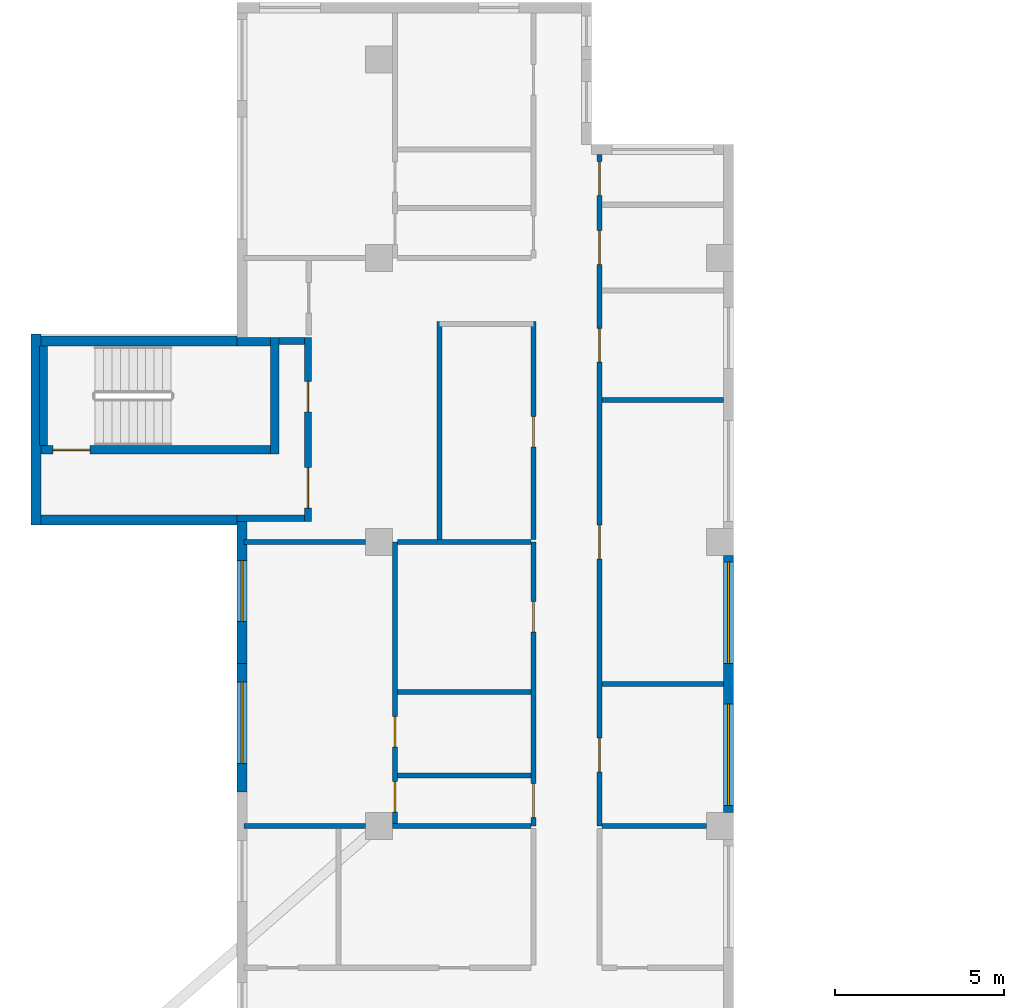
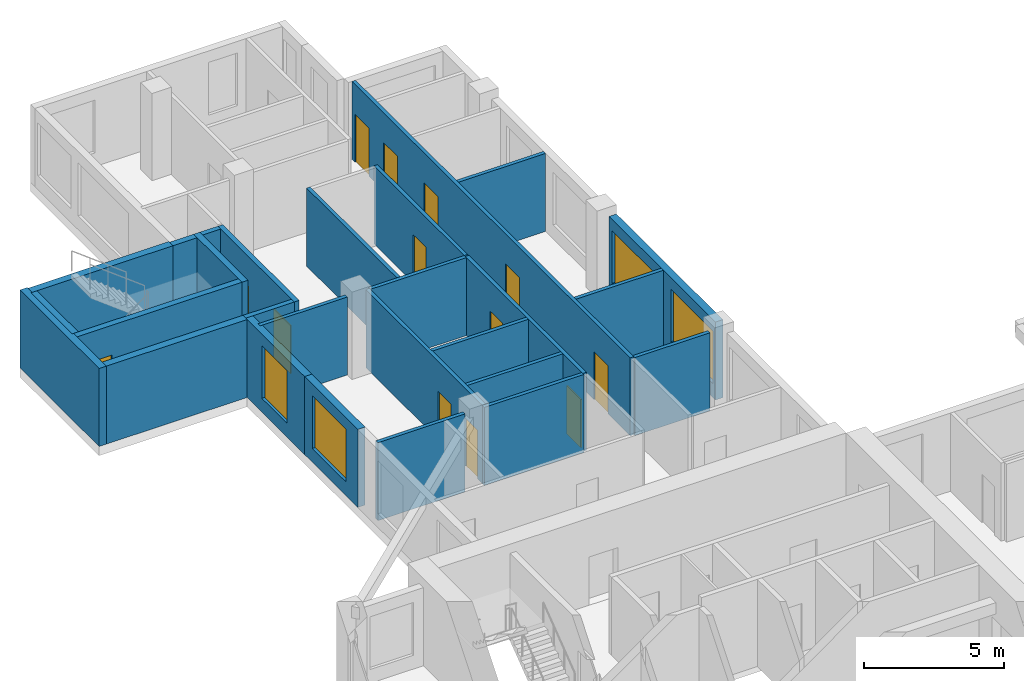
# One storey, part 6 of 11: 27 walls, 13 doors, 4 windows, 17 openings.
"""IFC4 building model written with IfcOpenShell, lengths in metres."""

from ifc_helpers import new_model, si_unit, direction, frame, frame_2d, origin, place, context, subcontext, project, spatial, rectangle, extrude, source, transform, mapped, material, layer, layer_set, type_object, element, fill, save


model = new_model("IFC4")

# Units and contexts
model_context = context("Model", 3, precision=1e-05, world=origin(), true_north=direction((0.0, 1.0)))
body_context = subcontext(model_context, "Body", "Model", "MODEL_VIEW")
ifc_project = project(units=[si_unit("LENGTHUNIT", "METRE"), si_unit("AREAUNIT", "SQUARE_METRE"), si_unit("VOLUMEUNIT", "CUBIC_METRE"), si_unit("PLANEANGLEUNIT", "RADIAN"), si_unit("MASSUNIT", "GRAM", prefix="KILO")], contexts=[model_context])

# Site, building, storey
site_placement = place(None, origin())
site = spatial("IfcSite", under=ifc_project, at=site_placement, CompositionType="ELEMENT")
building_placement = place(site_placement, origin())
building = spatial("IfcBuilding", under=site, at=building_placement, Name="Aurelian Terraces", CompositionType="ELEMENT")
storey_placement = place(building_placement, frame((0.0, 0.0, 227.2)))
storey = spatial("IfcBuildingStorey", under=building, at=storey_placement, Name="L51", CompositionType="ELEMENT", Elevation=227.2)

# Wall
ifc_material_1 = material(Name="Gypsum board on steel studs", Category="steel")
ifc_layer_1 = layer(ifc_material_1, 0.15)
ifc_layer_set_1 = layer_set([ifc_layer_1], Name="Partition 150")
wall_type_1 = type_object("IfcWallType", Name="Partition 150", PredefinedType="PARTITIONING", material=ifc_layer_set_1)
wall_1_placement = place(storey_placement, frame((10.101, 29.4, 0.0), z_axis=(0.0, 0.0, 1.0), x_axis=(-1.0, 0.0, 0.0)))
element("IfcWall", 1, at=wall_1_placement, inside=storey, type_object=wall_type_1, Name="Partition", PredefinedType="PARTITIONING", context=body_context, shape_type="SweptSolid", body=[
    extrude(rectangle(XDim=3.596, YDim=0.15, at=frame_2d((1.798, 0.0))), origin(), (0.0, 0.0, 1.0), 3.4),
])

# Wall, opening, window
ifc_material_2 = material(Name="Terracotta rainscreen cladding", Category="masonry")
ifc_layer_2 = layer(ifc_material_2, 0.3)
ifc_layer_set_2 = layer_set([ifc_layer_2], Name="EW-300")
wall_type_2 = type_object("IfcWallType", Name="EW-300", PredefinedType="STANDARD", material=ifc_layer_set_2)
shared_shape_1 = source(origin(), body_context, "Body", "SweptSolid", [
    extrude(rectangle(XDim=4.2, YDim=0.3, at=frame_2d((2.1, 0.0))), origin(), (0.0, 0.0, 1.0), 3.4),
])
wall_2_placement = place(storey_placement, frame((6.45, 38.4, 0.0), z_axis=(0.0, 0.0, 1.0), x_axis=(0.0, -1.0, 0.0)))
wall_2 = element("IfcWall", 2, at=wall_2_placement, inside=storey, type_object=wall_type_2, Name="External wall L51 F16.29", PredefinedType="STANDARD", context=body_context, shape_type="MappedRepresentation", body=[
    mapped(shared_shape_1, transform((0.0, 0.0, 0.0), scale=1.0)),
])
shared_shape_2 = source(origin(), body_context, "Body", "SweptSolid", [
    extrude(rectangle(XDim=1.8, YDim=2.3, at=frame_2d((0.9, 1.15))), frame((0.0, 0.16, 0.0), z_axis=(0.0, -1.0, 0.0), x_axis=(1.0, 0.0, 0.0)), (0.0, 0.0, 1.0), 0.32),
])
opening_1_placement = place(wall_2_placement, frame((1.15, 0.0, 0.6)))
opening_1 = element("IfcOpeningElement", 3, at=opening_1_placement, cuts=wall_2, Name="Opening W1823", PredefinedType="OPENING", context=body_context, shape_type="MappedRepresentation", body=[
    mapped(shared_shape_2, transform((0.0, 0.0, 0.0), scale=1.0)),
])
ifc_material_3 = material(Name="Clear glazing", Category="glass")
window_type_1 = type_object("IfcWindowType", Name="W-1800x2300", PartitioningType="SINGLE_PANEL", PredefinedType="WINDOW", material=ifc_material_3)
shared_shape_3 = source(origin(), body_context, "Body", "SweptSolid", [
    extrude(rectangle(XDim=1.8, YDim=2.3, at=frame_2d((0.9, 1.15))), frame((0.0, 0.03, 0.0), z_axis=(0.0, -1.0, 0.0), x_axis=(1.0, 0.0, 0.0)), (0.0, 0.0, 1.0), 0.06),
])
window_1_placement = place(opening_1_placement, origin())
window_1 = element("IfcWindow", 4, at=window_1_placement, inside=storey, type_object=window_type_1, Name="Window L51 L51-F16-29-0", OverallHeight=2.3, OverallWidth=1.8, PartitioningType="SINGLE_PANEL", PredefinedType="WINDOW", context=body_context, shape_type="MappedRepresentation", body=[
    mapped(shared_shape_3, transform((0.0, 0.0, 0.0), scale=1.0)),
])
fill(opening_1, window_1)

# Walls
ifc_material_4 = material(Name="Concrete fc' 40 MPa", Category="concrete")
ifc_layer_3 = layer(ifc_material_4, 0.3)
ifc_layer_set_3 = layer_set([ifc_layer_3], Name="STAIR BAY WALL 300")
wall_type_3 = type_object("IfcWallType", Name="STAIR BAY WALL 300", PredefinedType="SOLIDWALL", material=ifc_layer_set_3)
shared_shape_4 = source(origin(), body_context, "Body", "SweptSolid", [
    extrude(rectangle(XDim=6.1, YDim=0.3, at=frame_2d((3.05, 0.0))), origin(), (0.0, 0.0, 1.0), 3.4),
])
for number, where, z_axis, x_axis, name in (
    (5, (6.3, 43.75, 0.0), (0.0, 0.0, 1.0), (-1.0, 0.0, 0.0), "Stair bay wall L51 F13.26"),
    (6, (0.2, 38.45, 0.0), (0.0, 0.0, 1.0), (1.0, 0.0, 0.0), "Stair bay wall L51 F15.28"),
):
    element("IfcWall", number, at=place(storey_placement, frame(where, z_axis=z_axis, x_axis=x_axis)), inside=storey, type_object=wall_type_3, Name=name, PredefinedType="SOLIDWALL", context=body_context, shape_type="MappedRepresentation", body=[
        mapped(shared_shape_4, transform((0.0, 0.0, 0.0), scale=1.0)),
    ])

# Wall, opening, window
shared_shape_5 = source(origin(), body_context, "Body", "SweptSolid", [
    extrude(rectangle(XDim=3.8, YDim=0.3, at=frame_2d((1.9, 0.0))), origin(), (0.0, 0.0, 1.0), 3.4),
])
wall_3_placement = place(storey_placement, frame((6.45, 34.2, 0.0), z_axis=(0.0, 0.0, 1.0), x_axis=(0.0, -1.0, 0.0)))
wall_3 = element("IfcWall", 7, at=wall_3_placement, inside=storey, type_object=wall_type_3, Name="Bearing wall L51 F16.29", PredefinedType="SOLIDWALL", context=body_context, shape_type="MappedRepresentation", body=[
    mapped(shared_shape_5, transform((0.0, 0.0, 0.0), scale=1.0)),
])
shared_shape_6 = source(origin(), body_context, "Body", "SweptSolid", [
    extrude(rectangle(XDim=2.4, YDim=2.3, at=frame_2d((1.2, 1.15))), frame((0.0, 0.16, 0.0), z_axis=(0.0, -1.0, 0.0), x_axis=(1.0, 0.0, 0.0)), (0.0, 0.0, 1.0), 0.32),
])
opening_2_placement = place(wall_3_placement, frame((0.55, 0.0, 0.6)))
opening_2 = element("IfcOpeningElement", 8, at=opening_2_placement, cuts=wall_3, Name="Opening W2423", PredefinedType="OPENING", context=body_context, shape_type="MappedRepresentation", body=[
    mapped(shared_shape_6, transform((0.0, 0.0, 0.0), scale=1.0)),
])
window_type_2 = type_object("IfcWindowType", Name="W-2400x2300", PartitioningType="SINGLE_PANEL", PredefinedType="WINDOW", material=ifc_material_3)
shared_shape_7 = source(origin(), body_context, "Body", "SweptSolid", [
    extrude(rectangle(XDim=2.4, YDim=2.3, at=frame_2d((1.2, 1.15))), frame((0.0, 0.03, 0.0), z_axis=(0.0, -1.0, 0.0), x_axis=(1.0, 0.0, 0.0)), (0.0, 0.0, 1.0), 0.06),
])
window_2_placement = place(opening_2_placement, origin())
window_2 = element("IfcWindow", 9, at=window_2_placement, inside=storey, type_object=window_type_2, Name="Window L51 L51-F16-29-1", OverallHeight=2.3, OverallWidth=2.4, PartitioningType="SINGLE_PANEL", PredefinedType="WINDOW", context=body_context, shape_type="MappedRepresentation", body=[
    mapped(shared_shape_7, transform((0.0, 0.0, 0.0), scale=1.0)),
])
fill(opening_2, window_2)

# Wall
shared_shape_8 = source(origin(), body_context, "Body", "SweptSolid", [
    extrude(rectangle(XDim=5.65, YDim=0.3, at=frame_2d((2.825, 0.0))), origin(), (0.0, 0.0, 1.0), 3.4),
])
wall_4_placement = place(storey_placement, frame((0.35, 43.95, 0.0), z_axis=(0.0, 0.0, 1.0), x_axis=(0.0, -1.0, 0.0)))
element("IfcWall", 10, at=wall_4_placement, inside=storey, type_object=wall_type_3, Name="Stair bay wall L51 F14.27", PredefinedType="SOLIDWALL", context=body_context, shape_type="MappedRepresentation", body=[
    mapped(shared_shape_8, transform((0.0, 0.0, 0.0), scale=1.0)),
])

# Wall, openings, windows
shared_shape_9 = source(origin(), body_context, "Body", "SweptSolid", [
    extrude(rectangle(XDim=7.6, YDim=0.3, at=frame_2d((3.8, 0.0))), origin(), (0.0, 0.0, 1.0), 3.4),
])
wall_5_placement = place(storey_placement, frame((20.85, 29.8, 0.0), z_axis=(0.0, 0.0, 1.0), x_axis=(0.0, 1.0, 0.0)))
wall_5 = element("IfcWall", 11, at=wall_5_placement, inside=storey, type_object=wall_type_2, Name="External wall L51 F08.18", PredefinedType="STANDARD", context=body_context, shape_type="MappedRepresentation", body=[
    mapped(shared_shape_9, transform((0.0, 0.0, 0.0), scale=1.0)),
])
shared_shape_10 = source(origin(), body_context, "Body", "SweptSolid", [
    extrude(rectangle(XDim=3.0, YDim=2.3, at=frame_2d((1.5, 1.15))), frame((0.0, 0.16, 0.0), z_axis=(0.0, -1.0, 0.0), x_axis=(1.0, 0.0, 0.0)), (0.0, 0.0, 1.0), 0.32),
])
opening_3_placement = place(wall_5_placement, frame((0.2, 0.0, 0.6)))
opening_3 = element("IfcOpeningElement", 12, at=opening_3_placement, cuts=wall_5, Name="Opening W3023", PredefinedType="OPENING", context=body_context, shape_type="MappedRepresentation", body=[
    mapped(shared_shape_10, transform((0.0, 0.0, 0.0), scale=1.0)),
])
opening_4_placement = place(wall_5_placement, frame((4.4, 0.0, 0.6)))
opening_4 = element("IfcOpeningElement", 13, at=opening_4_placement, cuts=wall_5, Name="Opening W3023", PredefinedType="OPENING", context=body_context, shape_type="MappedRepresentation", body=[
    mapped(shared_shape_10, transform((0.0, 0.0, 0.0), scale=1.0)),
])
window_type_3 = type_object("IfcWindowType", Name="W-3000x2300", PartitioningType="SINGLE_PANEL", PredefinedType="WINDOW", material=ifc_material_3)
shared_shape_11 = source(origin(), body_context, "Body", "SweptSolid", [
    extrude(rectangle(XDim=3.0, YDim=2.3, at=frame_2d((1.5, 1.15))), frame((0.0, 0.03, 0.0), z_axis=(0.0, -1.0, 0.0), x_axis=(1.0, 0.0, 0.0)), (0.0, 0.0, 1.0), 0.06),
])
window_3_placement = place(opening_3_placement, origin())
window_3 = element("IfcWindow", 14, at=window_3_placement, inside=storey, type_object=window_type_3, Name="Window L51 L51-F08-18-0", OverallHeight=2.3, OverallWidth=3.0, PartitioningType="SINGLE_PANEL", PredefinedType="WINDOW", context=body_context, shape_type="MappedRepresentation", body=[
    mapped(shared_shape_11, transform((0.0, 0.0, 0.0), scale=1.0)),
])
fill(opening_3, window_3)
window_4_placement = place(opening_4_placement, origin())
window_4 = element("IfcWindow", 15, at=window_4_placement, inside=storey, type_object=window_type_3, Name="Window L51 L51-F08-18-1", OverallHeight=2.3, OverallWidth=3.0, PartitioningType="SINGLE_PANEL", PredefinedType="WINDOW", context=body_context, shape_type="MappedRepresentation", body=[
    mapped(shared_shape_11, transform((0.0, 0.0, 0.0), scale=1.0)),
])
fill(opening_4, window_4)

# Wall, opening, door
ifc_layer_4 = layer(ifc_material_4, 0.25)
ifc_layer_set_4 = layer_set([ifc_layer_4], Name="Stair enclosure wall 250")
wall_type_4 = type_object("IfcWallType", Name="Stair enclosure wall 250", PredefinedType="SOLIDWALL", material=ifc_layer_set_4)
shared_shape_12 = source(origin(), body_context, "Body", "SweptSolid", [
    extrude(rectangle(XDim=7.0, YDim=0.25, at=frame_2d((3.5, 0.0))), origin(), (0.0, 0.0, 1.0), 3.4),
])
wall_6_placement = place(storey_placement, frame((0.3, 40.525, 0.0), z_axis=(0.0, 0.0, 1.0), x_axis=(1.0, 0.0, 0.0)))
wall_6 = element("IfcWall", 16, at=wall_6_placement, inside=storey, type_object=wall_type_4, Name="L51 core wall ST-S3-W", PredefinedType="SOLIDWALL", context=body_context, shape_type="MappedRepresentation", body=[
    mapped(shared_shape_12, transform((0.0, 0.0, 0.0), scale=1.0)),
])
shared_shape_13 = source(origin(), body_context, "Body", "SweptSolid", [
    extrude(rectangle(XDim=1.1, YDim=2.1, at=frame_2d((0.55, 1.05))), frame((0.0, 0.135, 0.0), z_axis=(0.0, -1.0, 0.0), x_axis=(1.0, 0.0, 0.0)), (0.0, 0.0, 1.0), 0.27),
])
opening_5_placement = place(wall_6_placement, frame((0.55, 0.0, 0.0)))
opening_5 = element("IfcOpeningElement", 17, at=opening_5_placement, cuts=wall_6, Name="Opening 65418", PredefinedType="OPENING", context=body_context, shape_type="MappedRepresentation", body=[
    mapped(shared_shape_13, transform((0.0, 0.0, 0.0), scale=1.0)),
])
ifc_material_5 = material(Name="Steel door leaf", Category="steel")
door_type_1 = type_object("IfcDoorType", Name="Core fire door 1100x2100", OperationType="SINGLE_SWING_LEFT", PredefinedType="DOOR", material=ifc_material_5)
shared_shape_14 = source(origin(), body_context, "Body", "SweptSolid", [
    extrude(rectangle(XDim=1.1, YDim=2.1, at=frame_2d((0.55, 1.05))), frame((0.0, 0.025, 0.0), z_axis=(0.0, -1.0, 0.0), x_axis=(1.0, 0.0, 0.0)), (0.0, 0.0, 1.0), 0.05),
])
door_1_placement = place(opening_5_placement, origin())
door_1 = element("IfcDoor", 18, at=door_1_placement, inside=storey, type_object=door_type_1, Name="Stair door 65418", OperationType="SINGLE_SWING_LEFT", OverallHeight=2.1, OverallWidth=1.1, PredefinedType="DOOR", context=body_context, shape_type="MappedRepresentation", body=[
    mapped(shared_shape_14, transform((0.0, 0.0, 0.0), scale=1.0)),
])
fill(opening_5, door_1)

# Walls
shared_shape_15 = source(origin(), body_context, "Body", "SweptSolid", [
    extrude(rectangle(XDim=3.45, YDim=0.25, at=frame_2d((1.725, 0.0))), origin(), (0.0, 0.0, 1.0), 3.4),
])
wall_7_placement = place(storey_placement, frame((7.425, 40.4, 0.0), z_axis=(0.0, 0.0, 1.0), x_axis=(0.0, 1.0, 0.0)))
element("IfcWall", 19, at=wall_7_placement, inside=storey, type_object=wall_type_4, Name="L51 core wall ST-S3-N", PredefinedType="SOLIDWALL", context=body_context, shape_type="MappedRepresentation", body=[
    mapped(shared_shape_15, transform((0.0, 0.0, 0.0), scale=1.0)),
])
shared_shape_16 = source(origin(), body_context, "Body", "SweptSolid", [
    extrude(rectangle(XDim=2.95, YDim=0.25, at=frame_2d((1.475, 0.0))), origin(), (0.0, 0.0, 1.0), 3.4),
])
wall_8_placement = place(storey_placement, frame((0.575, 40.65, 0.0), z_axis=(0.0, 0.0, 1.0), x_axis=(0.0, 1.0, 0.0)))
element("IfcWall", 20, at=wall_8_placement, inside=storey, type_object=wall_type_4, Name="L51 core wall ST-S3-SS", PredefinedType="SOLIDWALL", context=body_context, shape_type="MappedRepresentation", body=[
    mapped(shared_shape_16, transform((0.0, 0.0, 0.0), scale=1.0)),
])

# Wall, openings, doors
ifc_layer_5 = layer(ifc_material_1, 0.2)
ifc_layer_set_5 = layer_set([ifc_layer_5], Name="Core partition 200")
wall_type_5 = type_object("IfcWallType", Name="Core partition 200", PredefinedType="PARTITIONING", material=ifc_layer_set_5)
shared_shape_17 = source(origin(), body_context, "Body", "SweptSolid", [
    extrude(rectangle(XDim=5.45, YDim=0.2, at=frame_2d((2.725, 0.0))), origin(), (0.0, 0.0, 1.0), 3.4),
])
wall_9_placement = place(storey_placement, frame((8.4, 38.4, 0.0), z_axis=(0.0, 0.0, 1.0), x_axis=(0.0, 1.0, 0.0)))
wall_9 = element("IfcWall", 21, at=wall_9_placement, inside=storey, type_object=wall_type_5, Name="L51 core wall ST-S3-BN", PredefinedType="PARTITIONING", context=body_context, shape_type="MappedRepresentation", body=[
    mapped(shared_shape_17, transform((0.0, 0.0, 0.0), scale=1.0)),
])
shared_shape_18 = source(origin(), body_context, "Body", "SweptSolid", [
    extrude(rectangle(XDim=1.2, YDim=2.1, at=frame_2d((0.6, 1.05))), frame((0.0, 0.11, 0.0), z_axis=(0.0, -1.0, 0.0), x_axis=(1.0, 0.0, 0.0)), (0.0, 0.0, 1.0), 0.22),
])
opening_6_placement = place(wall_9_placement, frame((0.4, 0.0, 0.0)))
opening_6 = element("IfcOpeningElement", 22, at=opening_6_placement, cuts=wall_9, Name="Opening 65419", PredefinedType="OPENING", context=body_context, shape_type="MappedRepresentation", body=[
    mapped(shared_shape_18, transform((0.0, 0.0, 0.0), scale=1.0)),
])
shared_shape_19 = source(origin(), body_context, "Body", "SweptSolid", [
    extrude(rectangle(XDim=0.9, YDim=2.1, at=frame_2d((0.45, 1.05))), frame((0.0, 0.11, 0.0), z_axis=(0.0, -1.0, 0.0), x_axis=(1.0, 0.0, 0.0)), (0.0, 0.0, 1.0), 0.22),
])
opening_7_placement = place(wall_9_placement, frame((3.25, 0.0, 0.0)))
opening_7 = element("IfcOpeningElement", 23, at=opening_7_placement, cuts=wall_9, Name="Opening 65420", PredefinedType="OPENING", context=body_context, shape_type="MappedRepresentation", body=[
    mapped(shared_shape_19, transform((0.0, 0.0, 0.0), scale=1.0)),
])
door_type_2 = type_object("IfcDoorType", Name="Core riser door 900x2100", OperationType="SINGLE_SWING_LEFT", PredefinedType="DOOR", material=ifc_material_5)
shared_shape_20 = source(origin(), body_context, "Body", "SweptSolid", [
    extrude(rectangle(XDim=0.9, YDim=2.1, at=frame_2d((0.45, 1.05))), frame((0.0, 0.025, 0.0), z_axis=(0.0, -1.0, 0.0), x_axis=(1.0, 0.0, 0.0)), (0.0, 0.0, 1.0), 0.05),
])
door_2_placement = place(opening_7_placement, origin())
door_2 = element("IfcDoor", 24, at=door_2_placement, inside=storey, type_object=door_type_2, Name="Riser door 65420", OperationType="SINGLE_SWING_LEFT", OverallHeight=2.1, OverallWidth=0.9, PredefinedType="DOOR", context=body_context, shape_type="MappedRepresentation", body=[
    mapped(shared_shape_20, transform((0.0, 0.0, 0.0), scale=1.0)),
])
fill(opening_7, door_2)
door_type_3 = type_object("IfcDoorType", Name="Core fire door 1200x2100 right", OperationType="SINGLE_SWING_RIGHT", PredefinedType="DOOR", material=ifc_material_5)
shared_shape_21 = source(origin(), body_context, "Body", "SweptSolid", [
    extrude(rectangle(XDim=1.2, YDim=2.1, at=frame_2d((0.6, 1.05))), frame((0.0, 0.025, 0.0), z_axis=(0.0, -1.0, 0.0), x_axis=(1.0, 0.0, 0.0)), (0.0, 0.0, 1.0), 0.05),
])
door_3_placement = place(opening_6_placement, origin())
door_3 = element("IfcDoor", 25, at=door_3_placement, inside=storey, type_object=door_type_3, Name="Vestibule door 65419", OperationType="SINGLE_SWING_RIGHT", OverallHeight=2.1, OverallWidth=1.2, PredefinedType="DOOR", context=body_context, shape_type="MappedRepresentation", body=[
    mapped(shared_shape_21, transform((0.0, 0.0, 0.0), scale=1.0)),
])
fill(opening_6, door_3)

# Walls
shared_shape_22 = source(origin(), body_context, "Body", "SweptSolid", [
    extrude(rectangle(XDim=0.75, YDim=0.2, at=frame_2d((0.375, 0.0))), origin(), (0.0, 0.0, 1.0), 3.4),
])
wall_10_placement = place(storey_placement, frame((7.55, 43.75, 0.0), z_axis=(0.0, 0.0, 1.0), x_axis=(1.0, 0.0, 0.0)))
element("IfcWall", 26, at=wall_10_placement, inside=storey, type_object=wall_type_5, Name="L51 core wall ST-S3-RE", PredefinedType="PARTITIONING", context=body_context, shape_type="MappedRepresentation", body=[
    mapped(shared_shape_22, transform((0.0, 0.0, 0.0), scale=1.0)),
])
shared_shape_23 = source(origin(), body_context, "Body", "SweptSolid", [
    extrude(rectangle(XDim=1.0, YDim=0.25, at=frame_2d((0.5, 0.0))), origin(), (0.0, 0.0, 1.0), 3.4),
])
wall_11_placement = place(storey_placement, frame((6.3, 43.725, 0.0), z_axis=(0.0, 0.0, 1.0), x_axis=(1.0, 0.0, 0.0)))
element("IfcWall", 27, at=wall_11_placement, inside=storey, type_object=wall_type_4, Name="L51 core wall ST-S3-E", PredefinedType="SOLIDWALL", context=body_context, shape_type="MappedRepresentation", body=[
    mapped(shared_shape_23, transform((0.0, 0.0, 0.0), scale=1.0)),
])
shared_shape_24 = source(origin(), body_context, "Body", "SweptSolid", [
    extrude(rectangle(XDim=2.0, YDim=0.2, at=frame_2d((1.0, 0.0))), origin(), (0.0, 0.0, 1.0), 3.4),
])
wall_12_placement = place(storey_placement, frame((6.3, 38.5, 0.0), z_axis=(0.0, 0.0, 1.0), x_axis=(1.0, 0.0, 0.0)))
element("IfcWall", 28, at=wall_12_placement, inside=storey, type_object=wall_type_5, Name="L51 core wall ST-S3-VW", PredefinedType="PARTITIONING", context=body_context, shape_type="MappedRepresentation", body=[
    mapped(shared_shape_24, transform((0.0, 0.0, 0.0), scale=1.0)),
])
shared_shape_25 = source(origin(), body_context, "Body", "SweptSolid", [
    extrude(rectangle(XDim=6.45, YDim=0.15, at=frame_2d((3.225, 0.0))), origin(), (0.0, 0.0, 1.0), 3.4),
])
wall_13_placement = place(storey_placement, frame((12.3, 44.325, 0.0), z_axis=(0.0, 0.0, 1.0), x_axis=(0.0, -1.0, 0.0)))
element("IfcWall", 29, at=wall_13_placement, inside=storey, type_object=wall_type_1, Name="Partition", PredefinedType="PARTITIONING", context=body_context, shape_type="MappedRepresentation", body=[
    mapped(shared_shape_25, transform((0.0, 0.0, 0.0), scale=1.0)),
])

# Wall, opening, door
ifc_layer_6 = layer(ifc_material_1, 0.15)
ifc_layer_set_6 = layer_set([ifc_layer_6], Name="Fire partition 150")
wall_type_6 = type_object("IfcWallType", Name="Fire partition 150", PredefinedType="PARTITIONING", material=ifc_layer_set_6)
wall_14_placement = place(storey_placement, frame((15.075, 37.875, 0.0), z_axis=(0.0, 0.0, 1.0), x_axis=(0.0, 1.0, 0.0)))
wall_14 = element("IfcWall", 30, at=wall_14_placement, inside=storey, type_object=wall_type_6, Name="Corridor wall", PredefinedType="PARTITIONING", context=body_context, shape_type="MappedRepresentation", body=[
    mapped(shared_shape_25, transform((0.0, 0.0, 0.0), scale=1.0)),
])
shared_shape_26 = source(origin(), body_context, "Body", "SweptSolid", [
    extrude(rectangle(XDim=0.9, YDim=2.1, at=frame_2d((0.45, 1.05))), frame((0.0, 0.085, 0.0), z_axis=(0.0, -1.0, 0.0), x_axis=(1.0, 0.0, 0.0)), (0.0, 0.0, 1.0), 0.17),
])
opening_8_placement = place(wall_14_placement, frame((2.7375, 0.0, 0.0)))
opening_8 = element("IfcOpeningElement", 31, at=opening_8_placement, cuts=wall_14, Name="Opening 751024", PredefinedType="OPENING", context=body_context, shape_type="MappedRepresentation", body=[
    mapped(shared_shape_26, transform((0.0, 0.0, 0.0), scale=1.0)),
])
ifc_material_6 = material(Name="Timber door leaf", Category="wood")
door_type_4 = type_object("IfcDoorType", Name="Room door 900x2100 left", OperationType="SINGLE_SWING_LEFT", PredefinedType="DOOR", material=ifc_material_6)
door_4_placement = place(opening_8_placement, origin())
door_4 = element("IfcDoor", 32, at=door_4_placement, inside=storey, type_object=door_type_4, Name="Door 751024", OperationType="SINGLE_SWING_LEFT", OverallHeight=2.1, OverallWidth=0.9, PredefinedType="DOOR", context=body_context, shape_type="MappedRepresentation", body=[
    mapped(shared_shape_20, transform((0.0, 0.0, 0.0), scale=1.0)),
])
fill(opening_8, door_4)

# Walls
shared_shape_27 = source(origin(), body_context, "Body", "SweptSolid", [
    extrude(rectangle(XDim=3.6, YDim=0.15, at=frame_2d((1.8, 0.0))), origin(), (0.0, 0.0, 1.0), 3.4),
])
for number, where, z_axis, x_axis, name in (
    (33, (20.7, 33.6, 0.0), (0.0, 0.0, 1.0), (-1.0, 0.0, 0.0), "Party wall"),
    (34, (20.7, 42.0, 0.0), (0.0, 0.0, 1.0), (-1.0, 0.0, 0.0), "Party wall"),
):
    element("IfcWall", number, at=place(storey_placement, frame(where, z_axis=z_axis, x_axis=x_axis)), inside=storey, type_object=wall_type_6, Name=name, PredefinedType="PARTITIONING", context=body_context, shape_type="MappedRepresentation", body=[
        mapped(shared_shape_27, transform((0.0, 0.0, 0.0), scale=1.0)),
    ])

# Wall, openings, doors
shared_shape_28 = source(origin(), body_context, "Body", "SweptSolid", [
    extrude(rectangle(XDim=8.4, YDim=0.15, at=frame_2d((4.2, 0.0))), origin(), (0.0, 0.0, 1.0), 3.4),
])
wall_15_placement = place(storey_placement, frame((10.975, 29.4, 0.0), z_axis=(0.0, 0.0, 1.0), x_axis=(0.0, 1.0, 0.0)))
wall_15 = element("IfcWall", 35, at=wall_15_placement, inside=storey, type_object=wall_type_1, Name="Partition", PredefinedType="PARTITIONING", context=body_context, shape_type="MappedRepresentation", body=[
    mapped(shared_shape_28, transform((0.0, 0.0, 0.0), scale=1.0)),
])
opening_9_placement = place(wall_15_placement, frame((0.408, 0.0, 0.0)))
opening_9 = element("IfcOpeningElement", 36, at=opening_9_placement, cuts=wall_15, Name="Opening 751027", PredefinedType="OPENING", context=body_context, shape_type="MappedRepresentation", body=[
    mapped(shared_shape_26, transform((0.0, 0.0, 0.0), scale=1.0)),
])
opening_10_placement = place(wall_15_placement, frame((2.3283, 0.0, 0.0)))
opening_10 = element("IfcOpeningElement", 37, at=opening_10_placement, cuts=wall_15, Name="Opening 751028", PredefinedType="OPENING", context=body_context, shape_type="MappedRepresentation", body=[
    mapped(shared_shape_26, transform((0.0, 0.0, 0.0), scale=1.0)),
])
door_5_placement = place(opening_9_placement, origin())
door_5 = element("IfcDoor", 38, at=door_5_placement, inside=storey, type_object=door_type_4, Name="Door 751027", OperationType="SINGLE_SWING_LEFT", OverallHeight=2.1, OverallWidth=0.9, PredefinedType="DOOR", context=body_context, shape_type="MappedRepresentation", body=[
    mapped(shared_shape_20, transform((0.0, 0.0, 0.0), scale=1.0)),
])
fill(opening_9, door_5)
door_type_5 = type_object("IfcDoorType", Name="Room door 900x2100 right", OperationType="SINGLE_SWING_RIGHT", PredefinedType="DOOR", material=ifc_material_6)
door_6_placement = place(opening_10_placement, origin())
door_6 = element("IfcDoor", 39, at=door_6_placement, inside=storey, type_object=door_type_5, Name="Door 751028", OperationType="SINGLE_SWING_RIGHT", OverallHeight=2.1, OverallWidth=0.9, PredefinedType="DOOR", context=body_context, shape_type="MappedRepresentation", body=[
    mapped(shared_shape_20, transform((0.0, 0.0, 0.0), scale=1.0)),
])
fill(opening_10, door_6)

wall_16_placement = place(storey_placement, frame((15.075, 29.4, 0.0), z_axis=(0.0, 0.0, 1.0), x_axis=(0.0, 1.0, 0.0)))
wall_16 = element("IfcWall", 40, at=wall_16_placement, inside=storey, type_object=wall_type_6, Name="Corridor wall", PredefinedType="PARTITIONING", context=body_context, shape_type="MappedRepresentation", body=[
    mapped(shared_shape_28, transform((0.0, 0.0, 0.0), scale=1.0)),
])
shared_shape_29 = source(origin(), body_context, "Body", "SweptSolid", [
    extrude(rectangle(XDim=1.0, YDim=2.1, at=frame_2d((0.5, 1.05))), frame((0.0, 0.085, 0.0), z_axis=(0.0, -1.0, 0.0), x_axis=(1.0, 0.0, 0.0)), (0.0, 0.0, 1.0), 0.17),
])
opening_11_placement = place(wall_16_placement, frame((0.245, 0.0, 0.0)))
opening_11 = element("IfcOpeningElement", 41, at=opening_11_placement, cuts=wall_16, Name="Opening 751026", PredefinedType="OPENING", context=body_context, shape_type="MappedRepresentation", body=[
    mapped(shared_shape_29, transform((0.0, 0.0, 0.0), scale=1.0)),
])
opening_12_placement = place(wall_16_placement, frame((5.7333, 0.0, 0.0)))
opening_12 = element("IfcOpeningElement", 42, at=opening_12_placement, cuts=wall_16, Name="Opening 751029", PredefinedType="OPENING", context=body_context, shape_type="MappedRepresentation", body=[
    mapped(shared_shape_26, transform((0.0, 0.0, 0.0), scale=1.0)),
])
door_type_6 = type_object("IfcDoorType", Name="Entrance fire door 1000x2100 right", OperationType="SINGLE_SWING_RIGHT", PredefinedType="DOOR", material=ifc_material_5)
shared_shape_30 = source(origin(), body_context, "Body", "SweptSolid", [
    extrude(rectangle(XDim=1.0, YDim=2.1, at=frame_2d((0.5, 1.05))), frame((0.0, 0.025, 0.0), z_axis=(0.0, -1.0, 0.0), x_axis=(1.0, 0.0, 0.0)), (0.0, 0.0, 1.0), 0.05),
])
door_7_placement = place(opening_11_placement, origin())
door_7 = element("IfcDoor", 43, at=door_7_placement, inside=storey, type_object=door_type_6, Name="Door 751026", OperationType="SINGLE_SWING_RIGHT", OverallHeight=2.1, OverallWidth=1.0, PredefinedType="DOOR", context=body_context, shape_type="MappedRepresentation", body=[
    mapped(shared_shape_30, transform((0.0, 0.0, 0.0), scale=1.0)),
])
fill(opening_11, door_7)
door_type_7 = type_object("IfcDoorType", Name="Entrance fire door 900x2100 left", OperationType="SINGLE_SWING_LEFT", PredefinedType="DOOR", material=ifc_material_5)
door_8_placement = place(opening_12_placement, origin())
door_8 = element("IfcDoor", 44, at=door_8_placement, inside=storey, type_object=door_type_7, Name="Door 751029", OperationType="SINGLE_SWING_LEFT", OverallHeight=2.1, OverallWidth=0.9, PredefinedType="DOOR", context=body_context, shape_type="MappedRepresentation", body=[
    mapped(shared_shape_20, transform((0.0, 0.0, 0.0), scale=1.0)),
])
fill(opening_12, door_8)

shared_shape_31 = source(origin(), body_context, "Body", "SweptSolid", [
    extrude(rectangle(XDim=19.86, YDim=0.15, at=frame_2d((9.93, 0.0))), origin(), (0.0, 0.0, 1.0), 3.4),
])
wall_17_placement = place(storey_placement, frame((17.025, 49.26, 0.0), z_axis=(0.0, 0.0, 1.0), x_axis=(0.0, -1.0, 0.0)))
wall_17 = element("IfcWall", 45, at=wall_17_placement, inside=storey, type_object=wall_type_6, Name="Corridor wall", PredefinedType="PARTITIONING", context=body_context, shape_type="MappedRepresentation", body=[
    mapped(shared_shape_31, transform((0.0, 0.0, 0.0), scale=1.0)),
])
opening_13_placement = place(wall_17_placement, frame((17.26, 0.0, 0.0)))
opening_13 = element("IfcOpeningElement", 46, at=opening_13_placement, cuts=wall_17, Name="Opening 751034", PredefinedType="OPENING", context=body_context, shape_type="MappedRepresentation", body=[
    mapped(shared_shape_29, transform((0.0, 0.0, 0.0), scale=1.0)),
])
opening_14_placement = place(wall_17_placement, frame((10.96, 0.0, 0.0)))
opening_14 = element("IfcOpeningElement", 47, at=opening_14_placement, cuts=wall_17, Name="Opening 751035", PredefinedType="OPENING", context=body_context, shape_type="MappedRepresentation", body=[
    mapped(shared_shape_29, transform((0.0, 0.0, 0.0), scale=1.0)),
])
opening_15_placement = place(wall_17_placement, frame((5.1382, 0.0, 0.0)))
opening_15 = element("IfcOpeningElement", 48, at=opening_15_placement, cuts=wall_17, Name="Opening 751036", PredefinedType="OPENING", context=body_context, shape_type="MappedRepresentation", body=[
    mapped(shared_shape_29, transform((0.0, 0.0, 0.0), scale=1.0)),
])
opening_16_placement = place(wall_17_placement, frame((2.2489, 0.0, 0.0)))
opening_16 = element("IfcOpeningElement", 49, at=opening_16_placement, cuts=wall_17, Name="Opening 751037", PredefinedType="OPENING", context=body_context, shape_type="MappedRepresentation", body=[
    mapped(shared_shape_29, transform((0.0, 0.0, 0.0), scale=1.0)),
])
opening_17_placement = place(wall_17_placement, frame((0.2032, 0.0, 0.0)))
opening_17 = element("IfcOpeningElement", 50, at=opening_17_placement, cuts=wall_17, Name="Opening 751038", PredefinedType="OPENING", context=body_context, shape_type="MappedRepresentation", body=[
    mapped(shared_shape_29, transform((0.0, 0.0, 0.0), scale=1.0)),
])
door_9_placement = place(opening_13_placement, origin())
door_9 = element("IfcDoor", 51, at=door_9_placement, inside=storey, type_object=door_type_6, Name="Door 751034", OperationType="SINGLE_SWING_RIGHT", OverallHeight=2.1, OverallWidth=1.0, PredefinedType="DOOR", context=body_context, shape_type="MappedRepresentation", body=[
    mapped(shared_shape_30, transform((0.0, 0.0, 0.0), scale=1.0)),
])
fill(opening_13, door_9)
door_10_placement = place(opening_14_placement, origin())
door_10 = element("IfcDoor", 52, at=door_10_placement, inside=storey, type_object=door_type_6, Name="Door 751035", OperationType="SINGLE_SWING_RIGHT", OverallHeight=2.1, OverallWidth=1.0, PredefinedType="DOOR", context=body_context, shape_type="MappedRepresentation", body=[
    mapped(shared_shape_30, transform((0.0, 0.0, 0.0), scale=1.0)),
])
fill(opening_14, door_10)
door_11_placement = place(opening_15_placement, origin())
door_11 = element("IfcDoor", 53, at=door_11_placement, inside=storey, type_object=door_type_6, Name="Door 751036", OperationType="SINGLE_SWING_RIGHT", OverallHeight=2.1, OverallWidth=1.0, PredefinedType="DOOR", context=body_context, shape_type="MappedRepresentation", body=[
    mapped(shared_shape_30, transform((0.0, 0.0, 0.0), scale=1.0)),
])
fill(opening_15, door_11)
door_type_8 = type_object("IfcDoorType", Name="Entrance fire door 1000x2100 left", OperationType="SINGLE_SWING_LEFT", PredefinedType="DOOR", material=ifc_material_5)
door_12_placement = place(opening_16_placement, origin())
door_12 = element("IfcDoor", 54, at=door_12_placement, inside=storey, type_object=door_type_8, Name="Door 751037", OperationType="SINGLE_SWING_LEFT", OverallHeight=2.1, OverallWidth=1.0, PredefinedType="DOOR", context=body_context, shape_type="MappedRepresentation", body=[
    mapped(shared_shape_30, transform((0.0, 0.0, 0.0), scale=1.0)),
])
fill(opening_16, door_12)
door_13_placement = place(opening_17_placement, origin())
door_13 = element("IfcDoor", 55, at=door_13_placement, inside=storey, type_object=door_type_6, Name="Door 751038", OperationType="SINGLE_SWING_RIGHT", OverallHeight=2.1, OverallWidth=1.0, PredefinedType="DOOR", context=body_context, shape_type="MappedRepresentation", body=[
    mapped(shared_shape_30, transform((0.0, 0.0, 0.0), scale=1.0)),
])
fill(opening_17, door_13)

# Walls
shared_shape_32 = source(origin(), body_context, "Body", "SweptSolid", [
    extrude(rectangle(XDim=3.95, YDim=0.15, at=frame_2d((1.975, 0.0))), origin(), (0.0, 0.0, 1.0), 3.4),
])
for number, where, z_axis, x_axis, name in (
    (56, (15.0, 30.8901, 0.0), (0.0, 0.0, 1.0), (-1.0, 0.0, 0.0), "Partition"),
    (57, (15.0, 33.3665, 0.0), (0.0, 0.0, 1.0), (-1.0, 0.0, 0.0), "Partition"),
):
    element("IfcWall", number, at=place(storey_placement, frame(where, z_axis=z_axis, x_axis=x_axis)), inside=storey, type_object=wall_type_1, Name=name, PredefinedType="PARTITIONING", context=body_context, shape_type="MappedRepresentation", body=[
        mapped(shared_shape_32, transform((0.0, 0.0, 0.0), scale=1.0)),
    ])
wall_18_placement = place(storey_placement, frame((15.0, 37.8, 0.0), z_axis=(0.0, 0.0, 1.0), x_axis=(-1.0, 0.0, 0.0)))
element("IfcWall", 58, at=wall_18_placement, inside=storey, type_object=wall_type_6, Name="Party wall", PredefinedType="PARTITIONING", context=body_context, shape_type="MappedRepresentation", body=[
    mapped(shared_shape_32, transform((0.0, 0.0, 0.0), scale=1.0)),
])
shared_shape_33 = source(origin(), body_context, "Body", "SweptSolid", [
    extrude(rectangle(XDim=4.101, YDim=0.15, at=frame_2d((2.0505, 0.0))), origin(), (0.0, 0.0, 1.0), 3.4),
])
wall_19_placement = place(storey_placement, frame((15.0, 29.4, 0.0), z_axis=(0.0, 0.0, 1.0), x_axis=(-1.0, 0.0, 0.0)))
element("IfcWall", 59, at=wall_19_placement, inside=storey, type_object=wall_type_1, Name="Partition", PredefinedType="PARTITIONING", context=body_context, shape_type="MappedRepresentation", body=[
    mapped(shared_shape_33, transform((0.0, 0.0, 0.0), scale=1.0)),
])
shared_shape_34 = source(origin(), body_context, "Body", "SweptSolid", [
    extrude(rectangle(XDim=3.101, YDim=0.15, at=frame_2d((1.5505, 0.0))), origin(), (0.0, 0.0, 1.0), 3.4),
])
wall_20_placement = place(storey_placement, frame((20.201, 29.4, 0.0), z_axis=(0.0, 0.0, 1.0), x_axis=(-1.0, 0.0, 0.0)))
element("IfcWall", 60, at=wall_20_placement, inside=storey, type_object=wall_type_1, Name="Partition", PredefinedType="PARTITIONING", context=body_context, shape_type="MappedRepresentation", body=[
    mapped(shared_shape_34, transform((0.0, 0.0, 0.0), scale=1.0)),
])
shared_shape_35 = source(origin(), body_context, "Body", "SweptSolid", [
    extrude(rectangle(XDim=3.596, YDim=0.15, at=frame_2d((1.798, 0.0))), origin(), (0.0, 0.0, 1.0), 3.4),
])
wall_21_placement = place(storey_placement, frame((10.101, 37.8, 0.0), z_axis=(0.0, 0.0, 1.0), x_axis=(-1.0, 0.0, 0.0)))
element("IfcWall", 61, at=wall_21_placement, inside=storey, type_object=wall_type_6, Name="Party wall", PredefinedType="PARTITIONING", context=body_context, shape_type="MappedRepresentation", body=[
    mapped(shared_shape_35, transform((0.0, 0.0, 0.0), scale=1.0)),
])

save(model, "model.ifc")
